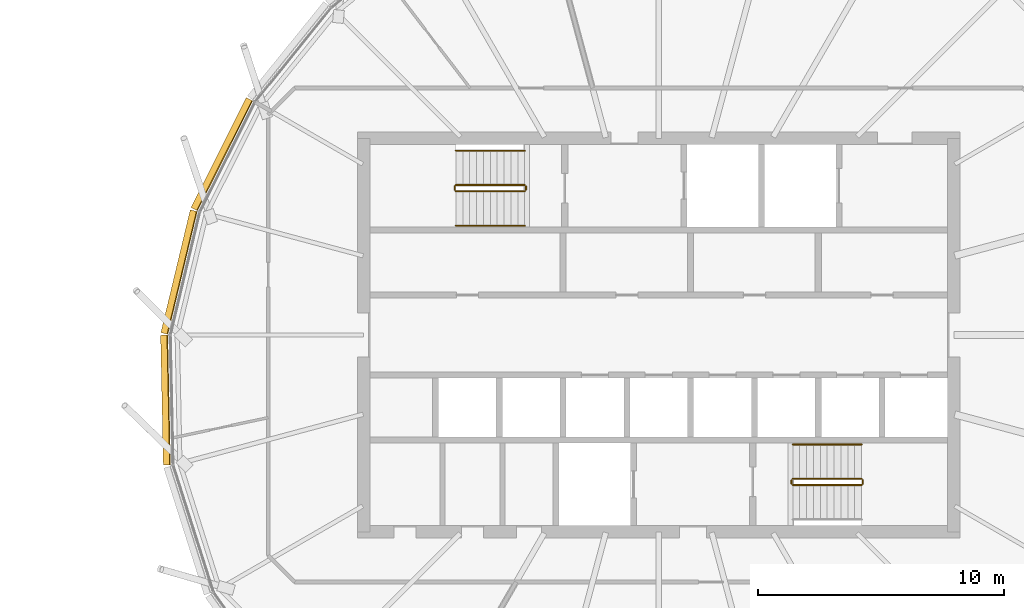
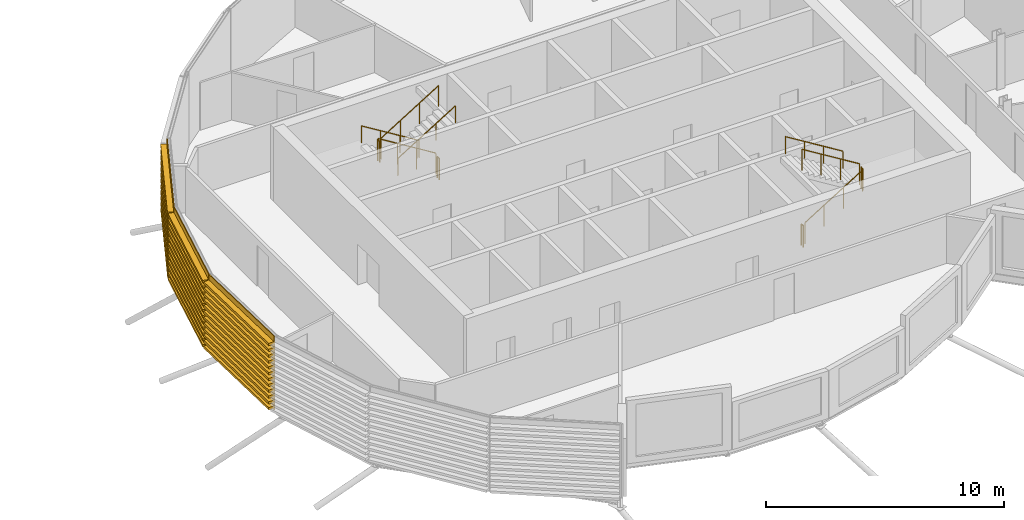
# One storey, part 37 of 38: 11 railings, 3 coverings.
"""IFC4 building model written with IfcOpenShell, lengths in metres."""

from ifc_helpers import new_model, si_unit, direction, frame, origin, origin_2d, place, context, subcontext, project, spatial, polyline, circle, outline, extrude, material, material_profile, profile_set, type_object, element, save


model = new_model("IFC4")

# Units and contexts
model_context = context("Model", 3, precision=1e-05, world=origin(), true_north=direction((0.0, 1.0)))
body_context = subcontext(model_context, "Body", "Model", "MODEL_VIEW")
ifc_project = project(units=[si_unit("LENGTHUNIT", "METRE"), si_unit("AREAUNIT", "SQUARE_METRE"), si_unit("VOLUMEUNIT", "CUBIC_METRE"), si_unit("PLANEANGLEUNIT", "RADIAN"), si_unit("MASSUNIT", "GRAM", prefix="KILO")], contexts=[model_context])

# Site, building, storey
site_placement = place(None, origin())
site = spatial("IfcSite", under=ifc_project, at=site_placement, CompositionType="ELEMENT")
building_placement = place(site_placement, origin())
building = spatial("IfcBuilding", under=site, at=building_placement, Name="Rimbun Link Towers", CompositionType="ELEMENT")
storey_placement = place(building_placement, frame((0.0, 0.0, 218.10009765625)))
storey = spatial("IfcBuildingStorey", under=building, at=storey_placement, Name="L53", CompositionType="ELEMENT", Elevation=218.10009765625)

# Railings
ifc_material_1 = material(Name="Stainless steel grade 316", Category="steel")
railing_type_1 = type_object("IfcRailingType", Name="Stair guard", PredefinedType="GUARDRAIL", material=ifc_material_1)
railing_1_placement = place(storey_placement, frame((26.300048828125, 6.10009765625, 0.172607421875)))
element("IfcRailing", 1, at=railing_1_placement, inside=storey, type_object=railing_type_1, Name="L53 ST3 stair guard 1", PredefinedType="GUARDRAIL", context=body_context, shape_type="SweptSolid", body=[
    extrude(circle(Radius=0.02392578125, at=origin_2d()), frame((0.0, 0.0, 1.076171875), z_axis=(-0.851089632645, 0.0, 0.525020415988), x_axis=(0.0, -1.0, 0.0)), (0.0, 0.0, 1.0), 3.2900390625),
    extrude(circle(Radius=0.02099609375, at=origin_2d()), origin(), (0.0, 0.0, 1.0), 1.052001953125),
    extrude(circle(Radius=0.02099609375, at=origin_2d()), frame((-0.933349609375, 0.0, 0.57568359375)), (0.0, 0.0, 1.0), 1.052001953125),
    extrude(circle(Radius=0.02099609375, at=origin_2d()), frame((-1.86669921875, 0.0, 1.151611328125)), (0.0, 0.0, 1.0), 1.052001953125),
    extrude(circle(Radius=0.02099609375, at=origin_2d()), frame((-2.800048828125, 0.0, 1.727294921875)), (0.0, 0.0, 1.0), 1.052001953125),
])
railing_2_placement = place(storey_placement, frame((23.449951171875, 6.050048828125, 1.89990234375)))
element("IfcRailing", 2, at=railing_2_placement, inside=storey, type_object=railing_type_1, Name="L53 ST3 stair guard 2", PredefinedType="GUARDRAIL", context=body_context, shape_type="SweptSolid", body=[
    extrude(circle(Radius=0.02392578125, at=origin_2d()), frame((0.0, 0.0, 1.076171875), z_axis=(0.0, -1.0, 0.0), x_axis=(1.0, 0.0, 0.0)), (0.0, 0.0, 1.0), 0.150146484375),
    extrude(circle(Radius=0.02099609375, at=origin_2d()), origin(), (0.0, 0.0, 1.0), 1.052001953125),
    extrude(circle(Radius=0.02099609375, at=origin_2d()), frame((0.0, -0.150146484375, 0.0)), (0.0, 0.0, 1.0), 1.052001953125),
])
railing_3_placement = place(storey_placement, frame((23.5, 5.85009765625, 2.072509765625)))
element("IfcRailing", 3, at=railing_3_placement, inside=storey, type_object=railing_type_1, Name="L53 ST3 stair guard 3", PredefinedType="GUARDRAIL", context=body_context, shape_type="SweptSolid", body=[
    extrude(circle(Radius=0.02392578125, at=origin_2d()), frame((0.0, 0.0, 1.076171875), z_axis=(0.851089632645, 0.0, 0.525020415988), x_axis=(0.0, 1.0, 0.0)), (0.0, 0.0, 1.0), 3.2900390625),
    extrude(circle(Radius=0.02099609375, at=origin_2d()), origin(), (0.0, 0.0, 1.0), 1.052001953125),
    extrude(circle(Radius=0.02099609375, at=origin_2d()), frame((0.933349609375, 0.0, 0.57568359375)), (0.0, 0.0, 1.0), 1.052001953125),
    extrude(circle(Radius=0.02099609375, at=origin_2d()), frame((1.86669921875, 0.0, 1.151611328125)), (0.0, 0.0, 1.0), 1.052001953125),
    extrude(circle(Radius=0.02099609375, at=origin_2d()), frame((2.800048828125, 0.0, 1.727294921875)), (0.0, 0.0, 1.0), 1.052001953125),
])
railing_4_placement = place(storey_placement, frame((26.35009765625, 6.050048828125, 0.0)))
element("IfcRailing", 4, at=railing_4_placement, inside=storey, type_object=railing_type_1, Name="L53 ST3 stair guard 4", PredefinedType="GUARDRAIL", context=body_context, shape_type="SweptSolid", body=[
    extrude(circle(Radius=0.02392578125, at=origin_2d()), frame((0.0, 0.0, 1.076171875), z_axis=(0.0, -1.0, 0.0), x_axis=(1.0, 0.0, 0.0)), (0.0, 0.0, 1.0), 0.150146484375),
    extrude(circle(Radius=0.02099609375, at=origin_2d()), origin(), (0.0, 0.0, 1.0), 1.052001953125),
    extrude(circle(Radius=0.02099609375, at=origin_2d()), frame((0.0, -0.150146484375, 0.0)), (0.0, 0.0, 1.0), 1.052001953125),
])
railing_5_placement = place(storey_placement, frame((37.199951171875, -6.10009765625, 0.172607421875)))
element("IfcRailing", 5, at=railing_5_placement, inside=storey, type_object=railing_type_1, Name="L53 ST4 stair guard 1", PredefinedType="GUARDRAIL", context=body_context, shape_type="SweptSolid", body=[
    extrude(circle(Radius=0.02392578125, at=origin_2d()), frame((0.0, 0.0, 1.076171875), z_axis=(0.851089632645, 0.0, 0.525020415988), x_axis=(0.0, 1.0, 0.0)), (0.0, 0.0, 1.0), 3.2900390625),
    extrude(circle(Radius=0.02099609375, at=origin_2d()), origin(), (0.0, 0.0, 1.0), 1.052001953125),
    extrude(circle(Radius=0.02099609375, at=origin_2d()), frame((0.933349609375, 0.0, 0.57568359375)), (0.0, 0.0, 1.0), 1.052001953125),
    extrude(circle(Radius=0.02099609375, at=origin_2d()), frame((1.86669921875, 0.0, 1.151611328125)), (0.0, 0.0, 1.0), 1.052001953125),
    extrude(circle(Radius=0.02099609375, at=origin_2d()), frame((2.800048828125, 0.0, 1.727294921875)), (0.0, 0.0, 1.0), 1.052001953125),
])
railing_6_placement = place(storey_placement, frame((40.050048828125, -6.050048828125, 1.89990234375)))
element("IfcRailing", 6, at=railing_6_placement, inside=storey, type_object=railing_type_1, Name="L53 ST4 stair guard 2", PredefinedType="GUARDRAIL", context=body_context, shape_type="SweptSolid", body=[
    extrude(circle(Radius=0.02392578125, at=origin_2d()), frame((0.0, 0.0, 1.076171875), z_axis=(0.0, 1.0, 0.0), x_axis=(-1.0, 0.0, 0.0)), (0.0, 0.0, 1.0), 0.150146484375),
    extrude(circle(Radius=0.02099609375, at=origin_2d()), origin(), (0.0, 0.0, 1.0), 1.052001953125),
    extrude(circle(Radius=0.02099609375, at=origin_2d()), frame((0.0, 0.150146484375, 0.0)), (0.0, 0.0, 1.0), 1.052001953125),
])
railing_7_placement = place(storey_placement, frame((40.0, -5.85009765625, 2.072509765625)))
element("IfcRailing", 7, at=railing_7_placement, inside=storey, type_object=railing_type_1, Name="L53 ST4 stair guard 3", PredefinedType="GUARDRAIL", context=body_context, shape_type="SweptSolid", body=[
    extrude(circle(Radius=0.02392578125, at=origin_2d()), frame((0.0, 0.0, 1.076171875), z_axis=(-0.851089632645, 0.0, 0.525020415988), x_axis=(0.0, -1.0, 0.0)), (0.0, 0.0, 1.0), 3.2900390625),
    extrude(circle(Radius=0.02099609375, at=origin_2d()), origin(), (0.0, 0.0, 1.0), 1.052001953125),
    extrude(circle(Radius=0.02099609375, at=origin_2d()), frame((-0.933349609375, 0.0, 0.57568359375)), (0.0, 0.0, 1.0), 1.052001953125),
    extrude(circle(Radius=0.02099609375, at=origin_2d()), frame((-1.86669921875, 0.0, 1.151611328125)), (0.0, 0.0, 1.0), 1.052001953125),
    extrude(circle(Radius=0.02099609375, at=origin_2d()), frame((-2.800048828125, 0.0, 1.727294921875)), (0.0, 0.0, 1.0), 1.052001953125),
])
railing_8_placement = place(storey_placement, frame((37.14990234375, -6.050048828125, 0.0)))
element("IfcRailing", 8, at=railing_8_placement, inside=storey, type_object=railing_type_1, Name="L53 ST4 stair guard 4", PredefinedType="GUARDRAIL", context=body_context, shape_type="SweptSolid", body=[
    extrude(circle(Radius=0.02392578125, at=origin_2d()), frame((0.0, 0.0, 1.076171875), z_axis=(0.0, 1.0, 0.0), x_axis=(-1.0, 0.0, 0.0)), (0.0, 0.0, 1.0), 0.150146484375),
    extrude(circle(Radius=0.02099609375, at=origin_2d()), origin(), (0.0, 0.0, 1.0), 1.052001953125),
    extrude(circle(Radius=0.02099609375, at=origin_2d()), frame((0.0, 0.150146484375, 0.0)), (0.0, 0.0, 1.0), 1.052001953125),
])
ifc_material_2 = material(Name="Stainless steel grade 316", Category="steel")
railing_type_2 = type_object("IfcRailingType", Name="Stair handrail", PredefinedType="HANDRAIL", material=ifc_material_2)
railing_9_placement = place(storey_placement, frame((26.300048828125, 7.5, 0.172607421875)))
element("IfcRailing", 9, at=railing_9_placement, inside=storey, type_object=railing_type_2, Name="L53 ST3 stair handrail 1", PredefinedType="HANDRAIL", context=body_context, shape_type="SweptSolid", body=[
    extrude(circle(Radius=0.02392578125, at=origin_2d()), frame((0.0, 0.0, 0.8759765625), z_axis=(-0.851089632645, 0.0, 0.525020415988), x_axis=(0.0, -1.0, 0.0)), (0.0, 0.0, 1.0), 3.2900390625),
    extrude(circle(Radius=0.02099609375, at=origin_2d()), origin(), (0.0, 0.0, 1.0), 0.851806640625),
    extrude(circle(Radius=0.02099609375, at=origin_2d()), frame((-0.933349609375, 0.0, 0.57568359375)), (0.0, 0.0, 1.0), 0.851806640625),
    extrude(circle(Radius=0.02099609375, at=origin_2d()), frame((-1.86669921875, 0.0, 1.151611328125)), (0.0, 0.0, 1.0), 0.851806640625),
    extrude(circle(Radius=0.02099609375, at=origin_2d()), frame((-2.800048828125, 0.0, 1.727294921875)), (0.0, 0.0, 1.0), 0.851806640625),
])
railing_10_placement = place(storey_placement, frame((23.5, 4.449951171875, 2.072509765625)))
element("IfcRailing", 10, at=railing_10_placement, inside=storey, type_object=railing_type_2, Name="L53 ST3 stair handrail 2", PredefinedType="HANDRAIL", context=body_context, shape_type="SweptSolid", body=[
    extrude(circle(Radius=0.02392578125, at=origin_2d()), frame((0.0, 0.0, 0.8759765625), z_axis=(0.851089632645, 0.0, 0.525020415988), x_axis=(0.0, 1.0, 0.0)), (0.0, 0.0, 1.0), 3.2900390625),
    extrude(circle(Radius=0.02099609375, at=origin_2d()), origin(), (0.0, 0.0, 1.0), 0.851806640625),
    extrude(circle(Radius=0.02099609375, at=origin_2d()), frame((0.933349609375, 0.0, 0.57568359375)), (0.0, 0.0, 1.0), 0.851806640625),
    extrude(circle(Radius=0.02099609375, at=origin_2d()), frame((1.86669921875, 0.0, 1.151611328125)), (0.0, 0.0, 1.0), 0.851806640625),
    extrude(circle(Radius=0.02099609375, at=origin_2d()), frame((2.800048828125, 0.0, 1.727294921875)), (0.0, 0.0, 1.0), 0.851806640625),
])
railing_11_placement = place(storey_placement, frame((40.0, -4.449951171875, 2.072509765625)))
element("IfcRailing", 11, at=railing_11_placement, inside=storey, type_object=railing_type_2, Name="L53 ST4 stair handrail 2", PredefinedType="HANDRAIL", context=body_context, shape_type="SweptSolid", body=[
    extrude(circle(Radius=0.02392578125, at=origin_2d()), frame((0.0, 0.0, 0.8759765625), z_axis=(-0.851089632645, 0.0, 0.525020415988), x_axis=(0.0, -1.0, 0.0)), (0.0, 0.0, 1.0), 3.2900390625),
    extrude(circle(Radius=0.02099609375, at=origin_2d()), origin(), (0.0, 0.0, 1.0), 0.851806640625),
    extrude(circle(Radius=0.02099609375, at=origin_2d()), frame((-0.933349609375, 0.0, 0.57568359375)), (0.0, 0.0, 1.0), 0.851806640625),
    extrude(circle(Radius=0.02099609375, at=origin_2d()), frame((-1.86669921875, 0.0, 1.151611328125)), (0.0, 0.0, 1.0), 0.851806640625),
    extrude(circle(Radius=0.02099609375, at=origin_2d()), frame((-2.800048828125, 0.0, 1.727294921875)), (0.0, 0.0, 1.0), 0.851806640625),
])

# Coverings
ifc_material_3 = material(Name="Terracotta", Category="masonry")
ifc_material_profile = material_profile(ifc_material_3, outline(polyline([(0.123046875, 0.0), (0.1630859375, 0.0), (0.1630859375, 0.10009765625), (0.423095703125, 0.10009765625), (0.423095703125, 0.219970703125), (0.1630859375, 0.219970703125), (0.1630859375, 0.39990234375), (0.423095703125, 0.39990234375), (0.423095703125, 0.52001953125), (0.1630859375, 0.52001953125), (0.1630859375, 0.699951171875), (0.423095703125, 0.699951171875), (0.423095703125, 0.820068359375), (0.1630859375, 0.820068359375), (0.1630859375, 1.0), (0.423095703125, 1.0), (0.423095703125, 1.1201171875), (0.1630859375, 1.1201171875), (0.1630859375, 1.300048828125), (0.423095703125, 1.300048828125), (0.423095703125, 1.419921875), (0.1630859375, 1.419921875), (0.1630859375, 1.60009765625), (0.423095703125, 1.60009765625), (0.423095703125, 1.719970703125), (0.1630859375, 1.719970703125), (0.1630859375, 1.89990234375), (0.423095703125, 1.89990234375), (0.423095703125, 2.02001953125), (0.1630859375, 2.02001953125), (0.1630859375, 2.199951171875), (0.423095703125, 2.199951171875), (0.423095703125, 2.320068359375), (0.1630859375, 2.320068359375), (0.1630859375, 2.5), (0.423095703125, 2.5), (0.423095703125, 2.6201171875), (0.1630859375, 2.6201171875), (0.1630859375, 2.800048828125), (0.423095703125, 2.800048828125), (0.423095703125, 2.919921875), (0.1630859375, 2.919921875), (0.1630859375, 3.10009765625), (0.423095703125, 3.10009765625), (0.423095703125, 3.219970703125), (0.1630859375, 3.219970703125), (0.1630859375, 3.39990234375), (0.423095703125, 3.39990234375), (0.423095703125, 3.52001953125), (0.1630859375, 3.52001953125), (0.1630859375, 3.800048828125), (0.123046875, 3.800048828125), (0.123046875, 0.0)])), Name="BAGUETTE 120X300")
ifc_profile_set = profile_set([ifc_material_profile], Name="Terracotta")
covering_type = type_object("IfcCoveringType", Name="TERRACOTTA BAGUETTE 120X300 H3800", PredefinedType="CLADDING", material=ifc_profile_set)
covering_1_placement = place(storey_placement, frame((13.1083984375, 4.9951171875, 0.0), z_axis=(0.44877437754, 0.893645096257, 0.0), x_axis=(-0.893645096257, 0.44877437754, 0.0)))
element("IfcCovering", 12, at=covering_1_placement, inside=storey, type_object=covering_type, Name="TERRACOTTA BAGUETTE", PredefinedType="CLADDING", context=body_context, shape_type="SweptSolid", body=[
    extrude(outline(polyline([(0.123046875, 0.0), (0.1630859375, 0.0), (0.1630859375, 0.10009765625), (0.423095703125, 0.10009765625), (0.423095703125, 0.219970703125), (0.1630859375, 0.219970703125), (0.1630859375, 0.39990234375), (0.423095703125, 0.39990234375), (0.423095703125, 0.52001953125), (0.1630859375, 0.52001953125), (0.1630859375, 0.699951171875), (0.423095703125, 0.699951171875), (0.423095703125, 0.820068359375), (0.1630859375, 0.820068359375), (0.1630859375, 1.0), (0.423095703125, 1.0), (0.423095703125, 1.1201171875), (0.1630859375, 1.1201171875), (0.1630859375, 1.300048828125), (0.423095703125, 1.300048828125), (0.423095703125, 1.419921875), (0.1630859375, 1.419921875), (0.1630859375, 1.60009765625), (0.423095703125, 1.60009765625), (0.423095703125, 1.719970703125), (0.1630859375, 1.719970703125), (0.1630859375, 1.89990234375), (0.423095703125, 1.89990234375), (0.423095703125, 2.02001953125), (0.1630859375, 2.02001953125), (0.1630859375, 2.199951171875), (0.423095703125, 2.199951171875), (0.423095703125, 2.320068359375), (0.1630859375, 2.320068359375), (0.1630859375, 2.5), (0.423095703125, 2.5), (0.423095703125, 2.6201171875), (0.1630859375, 2.6201171875), (0.1630859375, 2.800048828125), (0.423095703125, 2.800048828125), (0.423095703125, 2.919921875), (0.1630859375, 2.919921875), (0.1630859375, 3.10009765625), (0.423095703125, 3.10009765625), (0.423095703125, 3.219970703125), (0.1630859375, 3.219970703125), (0.1630859375, 3.39990234375), (0.423095703125, 3.39990234375), (0.423095703125, 3.52001953125), (0.1630859375, 3.52001953125), (0.1630859375, 3.800048828125), (0.123046875, 3.800048828125), (0.123046875, 0.0)])), origin(), (0.0, 0.0, 1.0), 5.00341796875),
])
covering_2_placement = place(storey_placement, frame((11.913818359375, 0.0, 0.0), z_axis=(0.232590807876, 0.972574684069, 0.0), x_axis=(-0.972574684069, 0.232590807876, 0.0)))
element("IfcCovering", 13, at=covering_2_placement, inside=storey, type_object=covering_type, Name="TERRACOTTA BAGUETTE", PredefinedType="CLADDING", context=body_context, shape_type="SweptSolid", body=[
    extrude(outline(polyline([(0.123046875, 0.0), (0.1630859375, 0.0), (0.1630859375, 0.10009765625), (0.423095703125, 0.10009765625), (0.423095703125, 0.219970703125), (0.1630859375, 0.219970703125), (0.1630859375, 0.39990234375), (0.423095703125, 0.39990234375), (0.423095703125, 0.52001953125), (0.1630859375, 0.52001953125), (0.1630859375, 0.699951171875), (0.423095703125, 0.699951171875), (0.423095703125, 0.820068359375), (0.1630859375, 0.820068359375), (0.1630859375, 1.0), (0.423095703125, 1.0), (0.423095703125, 1.1201171875), (0.1630859375, 1.1201171875), (0.1630859375, 1.300048828125), (0.423095703125, 1.300048828125), (0.423095703125, 1.419921875), (0.1630859375, 1.419921875), (0.1630859375, 1.60009765625), (0.423095703125, 1.60009765625), (0.423095703125, 1.719970703125), (0.1630859375, 1.719970703125), (0.1630859375, 1.89990234375), (0.423095703125, 1.89990234375), (0.423095703125, 2.02001953125), (0.1630859375, 2.02001953125), (0.1630859375, 2.199951171875), (0.423095703125, 2.199951171875), (0.423095703125, 2.320068359375), (0.1630859375, 2.320068359375), (0.1630859375, 2.5), (0.423095703125, 2.5), (0.423095703125, 2.6201171875), (0.1630859375, 2.6201171875), (0.1630859375, 2.800048828125), (0.423095703125, 2.800048828125), (0.423095703125, 2.919921875), (0.1630859375, 2.919921875), (0.1630859375, 3.10009765625), (0.423095703125, 3.10009765625), (0.423095703125, 3.219970703125), (0.1630859375, 3.219970703125), (0.1630859375, 3.39990234375), (0.423095703125, 3.39990234375), (0.423095703125, 3.52001953125), (0.1630859375, 3.52001953125), (0.1630859375, 3.800048828125), (0.123046875, 3.800048828125), (0.123046875, 0.0)])), origin(), (0.0, 0.0, 1.0), 5.135986328125),
])
covering_3_placement = place(storey_placement, frame((12.02490234375, -5.285400390625, 0.0), z_axis=(-0.021012496742, 0.999779213117, 0.0), x_axis=(-0.999779213117, -0.021012496742, 0.0)))
element("IfcCovering", 14, at=covering_3_placement, inside=storey, type_object=covering_type, Name="TERRACOTTA BAGUETTE", PredefinedType="CLADDING", context=body_context, shape_type="SweptSolid", body=[
    extrude(outline(polyline([(0.123046875, 0.0), (0.1630859375, 0.0), (0.1630859375, 0.10009765625), (0.423095703125, 0.10009765625), (0.423095703125, 0.219970703125), (0.1630859375, 0.219970703125), (0.1630859375, 0.39990234375), (0.423095703125, 0.39990234375), (0.423095703125, 0.52001953125), (0.1630859375, 0.52001953125), (0.1630859375, 0.699951171875), (0.423095703125, 0.699951171875), (0.423095703125, 0.820068359375), (0.1630859375, 0.820068359375), (0.1630859375, 1.0), (0.423095703125, 1.0), (0.423095703125, 1.1201171875), (0.1630859375, 1.1201171875), (0.1630859375, 1.300048828125), (0.423095703125, 1.300048828125), (0.423095703125, 1.419921875), (0.1630859375, 1.419921875), (0.1630859375, 1.60009765625), (0.423095703125, 1.60009765625), (0.423095703125, 1.719970703125), (0.1630859375, 1.719970703125), (0.1630859375, 1.89990234375), (0.423095703125, 1.89990234375), (0.423095703125, 2.02001953125), (0.1630859375, 2.02001953125), (0.1630859375, 2.199951171875), (0.423095703125, 2.199951171875), (0.423095703125, 2.320068359375), (0.1630859375, 2.320068359375), (0.1630859375, 2.5), (0.423095703125, 2.5), (0.423095703125, 2.6201171875), (0.1630859375, 2.6201171875), (0.1630859375, 2.800048828125), (0.423095703125, 2.800048828125), (0.423095703125, 2.919921875), (0.1630859375, 2.919921875), (0.1630859375, 3.10009765625), (0.423095703125, 3.10009765625), (0.423095703125, 3.219970703125), (0.1630859375, 3.219970703125), (0.1630859375, 3.39990234375), (0.423095703125, 3.39990234375), (0.423095703125, 3.52001953125), (0.1630859375, 3.52001953125), (0.1630859375, 3.800048828125), (0.123046875, 3.800048828125), (0.123046875, 0.0)])), origin(), (0.0, 0.0, 1.0), 5.28662109375),
])

save(model, "model.ifc")
